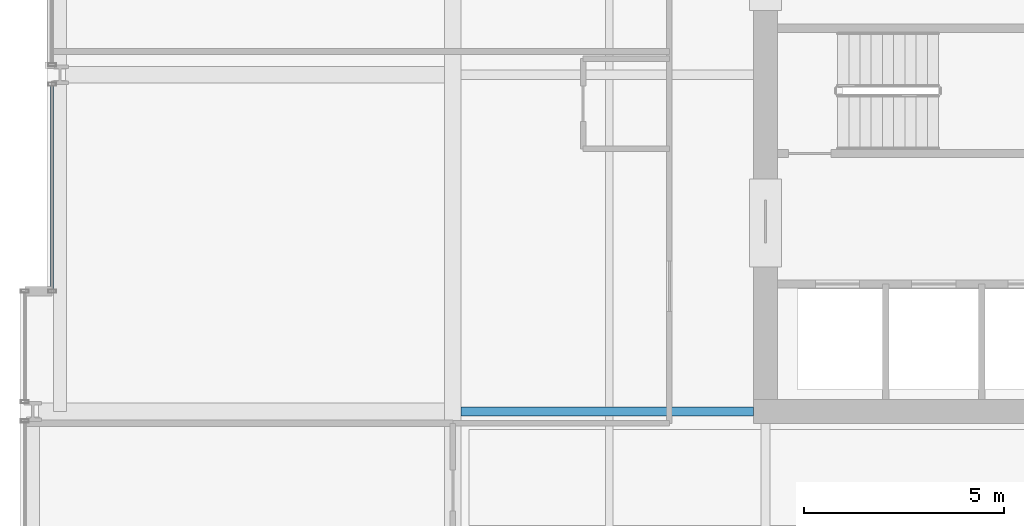
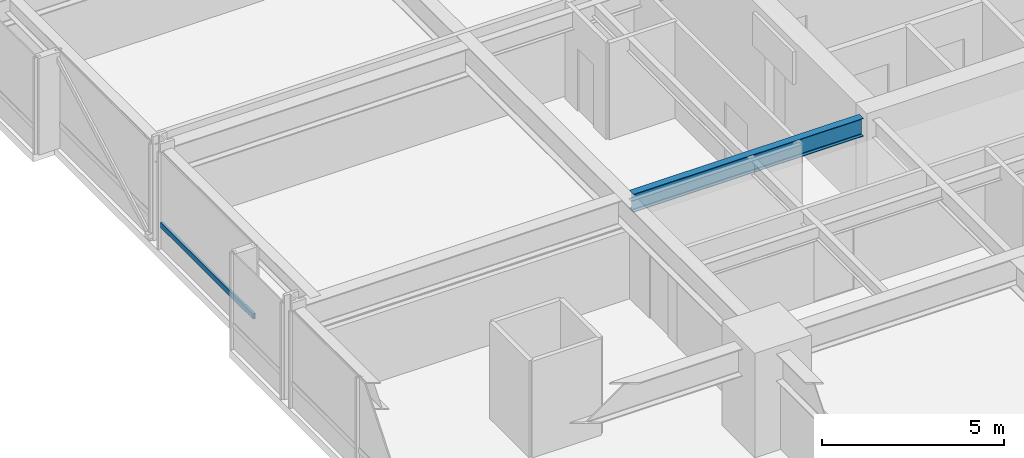
# One storey, part 8 of 37: 1 beam, 1 member, 1 element without a shape of its own.
"""IFC4 building model written with IfcOpenShell, lengths in metres."""

import ifcopenshell
import ifcopenshell.guid

model = None  # the IFC model being written
_history = None  # IfcOwnerHistory: only IFC2X3 demands one
_inside = {}  # id of a spatial element -> (the spatial element, [elements in it])
_under = {}  # id of a project, library or spatial element -> (it, [spatial elements below it])
_declared = {}  # id of a project -> (the project, [libraries it declares])
_typed = {}  # id of a type object -> (the type object, [elements of that type])
_made_of = {}  # id of a material, layer set ... -> (it, [elements and type objects made of it])


def new_model(schema):
    """Start an empty IFC model of exactly this schema.

    Asked for "IFC4X3", IfcOpenShell would pick the latest addendum, in which some entities
    have other attributes; the version numbers below select the first issue.
    IFC2X3 requires an IfcOwnerHistory on every rooted entity: one is made here for all.
    """
    global model, _history
    if schema == "IFC4X3":
        model = ifcopenshell.file(schema_version=(4, 3, 0, 0))
    else:
        model = ifcopenshell.file(schema=schema)
    _inside.clear()
    _under.clear()
    _declared.clear()
    _typed.clear()
    _made_of.clear()
    _history = None
    if model.schema == "IFC2X3":
        org = make("IfcOrganization", Name="unknown")
        user = make(
            "IfcPersonAndOrganization",
            ThePerson=make("IfcPerson", FamilyName="unknown"),
            TheOrganization=org,
        )
        app = make(
            "IfcApplication",
            ApplicationDeveloper=org,
            Version="unknown",
            ApplicationFullName="unknown",
            ApplicationIdentifier="unknown",
        )
        _history = make(
            "IfcOwnerHistory",
            OwningUser=user,
            OwningApplication=app,
            ChangeAction="ADDED",
            CreationDate=0,
        )
    return model


def make(cls, **values):
    """One entity of the class cls with the attributes given. An attribute that is None is left unset."""
    return model.create_entity(
        cls, **{name: value for name, value in values.items() if value is not None}
    )


def rooted(cls, **values):
    """An entity with a GlobalId (a new one), such as an element, a storey or a relation."""
    return make(cls, GlobalId=ifcopenshell.guid.new(), OwnerHistory=_history, **values)


def si_unit(unit_type, name, prefix=None):
    """IfcSIUnit, for example si_unit("LENGTHUNIT", "METRE", prefix="MILLI")."""
    return make("IfcSIUnit", UnitType=unit_type, Prefix=prefix, Name=name)


def assignment(units):
    """IfcUnitAssignment: the units of a project."""
    return None if units is None else make("IfcUnitAssignment", Units=units)


def point(xyz):
    """IfcCartesianPoint."""
    return None if xyz is None else make("IfcCartesianPoint", Coordinates=xyz)


def direction(xyz):
    """IfcDirection."""
    return None if xyz is None else make("IfcDirection", DirectionRatios=xyz)


def frame(location, z_axis=None, x_axis=None):
    """IfcAxis2Placement3D, a coordinate frame: its origin and axes. An axis left out is left unset."""
    return make(
        "IfcAxis2Placement3D",
        Location=point(location),
        Axis=direction(z_axis),
        RefDirection=direction(x_axis),
    )


def frame_2d(location, x_axis=None):
    """IfcAxis2Placement2D, a coordinate frame in the plane: its origin and x axis."""
    return make(
        "IfcAxis2Placement2D", Location=point(location), RefDirection=direction(x_axis)
    )


def origin():
    """The frame at (0, 0, 0) with its axes left unset."""
    return frame((0.0, 0.0, 0.0))


def origin_2d():
    """The frame at (0, 0) in the plane with its x axis left unset."""
    return frame_2d((0.0, 0.0))


def place(relative_to, where):
    """IfcLocalPlacement: puts the frame where relative to a parent placement (None: the world)."""
    return make(
        "IfcLocalPlacement", PlacementRelTo=relative_to, RelativePlacement=where
    )


def context(
    kind, dimensions, precision=None, world=None, true_north=None, identifier=None
):
    """IfcGeometricRepresentationContext, for example the 3D "Model" context."""
    return make(
        "IfcGeometricRepresentationContext",
        ContextIdentifier=identifier,
        ContextType=kind,
        CoordinateSpaceDimension=dimensions,
        Precision=precision,
        WorldCoordinateSystem=world,
        TrueNorth=true_north,
    )


def subcontext(parent, identifier, kind, view, scale=None):
    """IfcGeometricRepresentationSubContext, for example "Body" below "Model"."""
    return make(
        "IfcGeometricRepresentationSubContext",
        ContextIdentifier=identifier,
        ContextType=kind,
        ParentContext=parent,
        TargetScale=scale,
        TargetView=view,
    )


def project(units=None, contexts=None):
    """IfcProject with its units and contexts."""
    return rooted(
        "IfcProject",
        Name="project",
        RepresentationContexts=contexts,
        UnitsInContext=assignment(units),
    )


def spatial(cls, under=None, at=None, **own):
    """A site, building, storey or space (cls), placed at a placement, below another one or the project."""
    s = rooted(cls, ObjectPlacement=at, **own)
    if under is not None:
        _under.setdefault(under.id(), (under, []))[1].append(s)
    return s


def profile(cls, at=None, kind="AREA", **sizes):
    """A parametric profile (cls). Its sizes go by their IFC names, for example OverallWidth=200.0."""
    return make(cls, ProfileType=kind, Position=at, **sizes)


def hollow_rectangle(**sizes):
    """IfcRectangleHollowProfileDef."""
    return profile("IfcRectangleHollowProfileDef", **sizes)


def i_section(**sizes):
    """IfcIShapeProfileDef."""
    return profile("IfcIShapeProfileDef", **sizes)


def extrude(swept, where, along, depth):
    """IfcExtrudedAreaSolid: the profile swept, set in the frame where, extruded along a direction by depth."""
    return make(
        "IfcExtrudedAreaSolid",
        SweptArea=swept,
        Position=where,
        ExtrudedDirection=direction(along),
        Depth=depth,
    )


def shape(context_of_items, identifier, shape_type, items):
    """IfcShapeRepresentation: the items that make up one representation, for example the "Body"."""
    return make(
        "IfcShapeRepresentation",
        ContextOfItems=context_of_items,
        RepresentationIdentifier=identifier,
        RepresentationType=shape_type,
        Items=items,
    )


def material(Name=None, Category=None):
    """IfcMaterial."""
    return make("IfcMaterial", Name=Name, Category=Category)


def layer(
    of_material, thickness, ventilated=None, Name=None, Category=None, Priority=None
):
    """IfcMaterialLayer: one layer of a wall or slab, of a material (None: an air gap)."""
    return make(
        "IfcMaterialLayer",
        Material=of_material,
        LayerThickness=thickness,
        IsVentilated=ventilated,
        Name=Name,
        Category=Category,
        Priority=Priority,
    )


def layer_set(layers, Name=None):
    """IfcMaterialLayerSet."""
    return make("IfcMaterialLayerSet", MaterialLayers=layers, LayerSetName=Name)


def material_profile(
    of_material, cross_section, Name=None, Category=None, Priority=None
):
    """IfcMaterialProfile: a cross section and its material."""
    return make(
        "IfcMaterialProfile",
        Name=Name,
        Material=of_material,
        Profile=cross_section,
        Priority=Priority,
        Category=Category,
    )


def profile_set(profiles, Name=None, composite=None):
    """IfcMaterialProfileSet."""
    return make(
        "IfcMaterialProfileSet",
        Name=Name,
        MaterialProfiles=profiles,
        CompositeProfile=composite,
    )


def made_of(thing, what):
    """Note that an element or type object is made of a material, layer set ...; save() writes the relation."""
    if what is not None:
        _made_of.setdefault(what.id(), (what, []))[1].append(thing)
    return thing


def type_object(cls, material=None, **own):
    """A type object (cls), such as IfcWallType, which elements share."""
    return made_of(rooted(cls, **own), material)


def element(
    cls,
    number,
    at=None,
    inside=None,
    cuts=None,
    type_object=None,
    material=None,
    context=None,
    identifier="Body",
    shape_type=None,
    held_by="IfcProductDefinitionShape",
    body=None,
    shapes=None,
    **own,
):
    """One element of the class cls, such as IfcWall. Its Tag is "e" and its number.

    at: its placement. inside: the storey or other place that contains it. cuts: it is an
    opening in that element (IfcRelVoidsElement). A single representation is given by context,
    identifier, shape_type and body (its items); several are given by shapes. held_by: the class
    of the entity that holds the representations. save() writes the other relations.
    """
    e = rooted(cls, Tag="e%d" % number, ObjectPlacement=at, **own)
    if body is not None:
        shapes = [shape(context, identifier, shape_type, body)]
    if shapes is not None:
        e.Representation = make(held_by, Representations=shapes)
    if inside is not None:
        _inside.setdefault(inside.id(), (inside, []))[1].append(e)
    if cuts is not None:
        rooted(
            "IfcRelVoidsElement", RelatingBuildingElement=cuts, RelatedOpeningElement=e
        )
    if type_object is not None:
        _typed.setdefault(type_object.id(), (type_object, []))[1].append(e)
    return made_of(e, material)


def aggregate(whole, parts):
    """IfcRelAggregates: a whole, such as a stair, and the parts it consists of."""
    return rooted("IfcRelAggregates", RelatingObject=whole, RelatedObjects=parts)


def save(model, path):
    """Write the relations noted so far, then the file.

    IfcRelAggregates (storeys below a building ...), IfcRelContainedInSpatialStructure (elements
    in a storey), IfcRelDefinesByType, IfcRelAssociatesMaterial and IfcRelDeclares: one each for
    every whole, place, type object, material and project.
    """
    for whole, parts in _under.values():
        aggregate(whole, parts)
    for where, things in _inside.values():
        rooted(
            "IfcRelContainedInSpatialStructure",
            RelatedElements=things,
            RelatingStructure=where,
        )
    for kind, things in _typed.values():
        rooted("IfcRelDefinesByType", RelatedObjects=things, RelatingType=kind)
    for what, things in _made_of.values():
        rooted("IfcRelAssociatesMaterial", RelatedObjects=things, RelatingMaterial=what)
    for by, libraries in _declared.values():
        rooted("IfcRelDeclares", RelatingContext=by, RelatedDefinitions=libraries)
    model.write(path)


model = new_model("IFC4")

# Units and contexts
model_context = context("Model", 3, precision=1e-05, world=origin(), true_north=direction((0.0, 1.0)))
body_context = subcontext(model_context, "Body", "Model", "MODEL_VIEW")
ifc_project = project(units=[si_unit("LENGTHUNIT", "METRE"), si_unit("AREAUNIT", "SQUARE_METRE"), si_unit("VOLUMEUNIT", "CUBIC_METRE"), si_unit("PLANEANGLEUNIT", "RADIAN"), si_unit("MASSUNIT", "GRAM", prefix="KILO")], contexts=[model_context])

# Site, building, storey
site_placement = place(None, origin())
site = spatial("IfcSite", under=ifc_project, at=site_placement, CompositionType="ELEMENT")
building_placement = place(site_placement, origin())
building = spatial("IfcBuilding", under=site, at=building_placement, Name="Drelvath Grand Hotel", CompositionType="ELEMENT")
storey_placement = place(building_placement, frame((0.0, 0.0, 43.699951171875)))
storey = spatial("IfcBuildingStorey", under=building, at=storey_placement, Name="L09", CompositionType="ELEMENT", Elevation=43.699951171875)

# Curtain wall, member
ifc_material_1 = material(Name="Warm Bronze Anodised Aluminium Frame", Category="aluminium")
ifc_layer = layer(ifc_material_1, 0.199951171875)
ifc_layer_set = layer_set([ifc_layer], Name="Warm Bronze Anodised Aluminium Frame")
curtain_wall_type = type_object("IfcCurtainWallType", Name="Stick Curtain Wall CW-02 Warm Bronze Low-Rise", PredefinedType="NOTDEFINED", material=ifc_layer_set)
curtain_wall_placement = place(storey_placement, origin())
curtain_wall = element("IfcCurtainWall", 1, at=curtain_wall_placement, inside=storey, type_object=curtain_wall_type, Name="L09 CW-02 Curtain Wall CW02-L09-WM1", PredefinedType="NOTDEFINED")
ifc_material_profile_1 = material_profile(ifc_material_1, hollow_rectangle(XDim=0.074951171875, YDim=0.179931640625, WallThickness=0.0048828125, at=origin_2d()), Name="HSS180X75X5")
ifc_profile_set_1 = profile_set([ifc_material_profile_1], Name="Warm Bronze Anodised Aluminium Frame")
member_type = type_object("IfcMemberType", Name="Curtain Wall Horizontal Transom CW-02 HSS180X75X5", PredefinedType="USERDEFINED", material=ifc_profile_set_1)
member_placement = place(storey_placement, frame((-26.199951171875, 21.639892578125, 0.81005859375), z_axis=(0.0, 1.0, 0.0), x_axis=(-1.0, 0.0, 0.0)))
member = element("IfcMember", 2, at=member_placement, type_object=member_type, Name="CW02-L09-WM1 Sill Transom", ObjectType="TRANSOM", PredefinedType="USERDEFINED", context=body_context, shape_type="SweptSolid", body=[
    extrude(hollow_rectangle(XDim=0.074951171875, YDim=0.179931640625, WallThickness=0.0048828125, at=origin_2d()), origin(), (0.0, 0.0, 1.0), 5.0791015625),
])
aggregate(curtain_wall, [member])

# Beam
ifc_material_2 = material(Name="Steel ASTM A992 Gr 50", Category="steel")
ifc_material_profile_2 = material_profile(ifc_material_2, i_section(OverallWidth=0.228271484375, OverallDepth=0.607666015625, WebThickness=0.01123046875, FlangeThickness=0.017333984375, FilletRadius=0.02001953125, at=origin_2d()), Name="W24X76")
ifc_profile_set_2 = profile_set([ifc_material_profile_2], Name="Steel ASTM A992 Gr 50")
beam_type = type_object("IfcBeamType", Name="Primary Floor Girder W24X76", PredefinedType="BEAM", material=ifc_profile_set_2)
beam_placement = place(storey_placement, frame((-15.99072265625, 18.60009765625, 2.936279296875), z_axis=(1.0, 0.0, 0.0), x_axis=(0.0, 1.0, 0.0)))
element("IfcBeam", 3, at=beam_placement, inside=storey, type_object=beam_type, Name="L09 West Core Tie D", PredefinedType="BEAM", context=body_context, shape_type="SweptSolid", body=[
    extrude(i_section(OverallWidth=0.228271484375, OverallDepth=0.607666015625, WebThickness=0.01123046875, FlangeThickness=0.017333984375, FilletRadius=0.02001953125, at=origin_2d()), origin(), (0.0, 0.0, 1.0), 7.290771484375),
])

save(model, "model.ifc")
